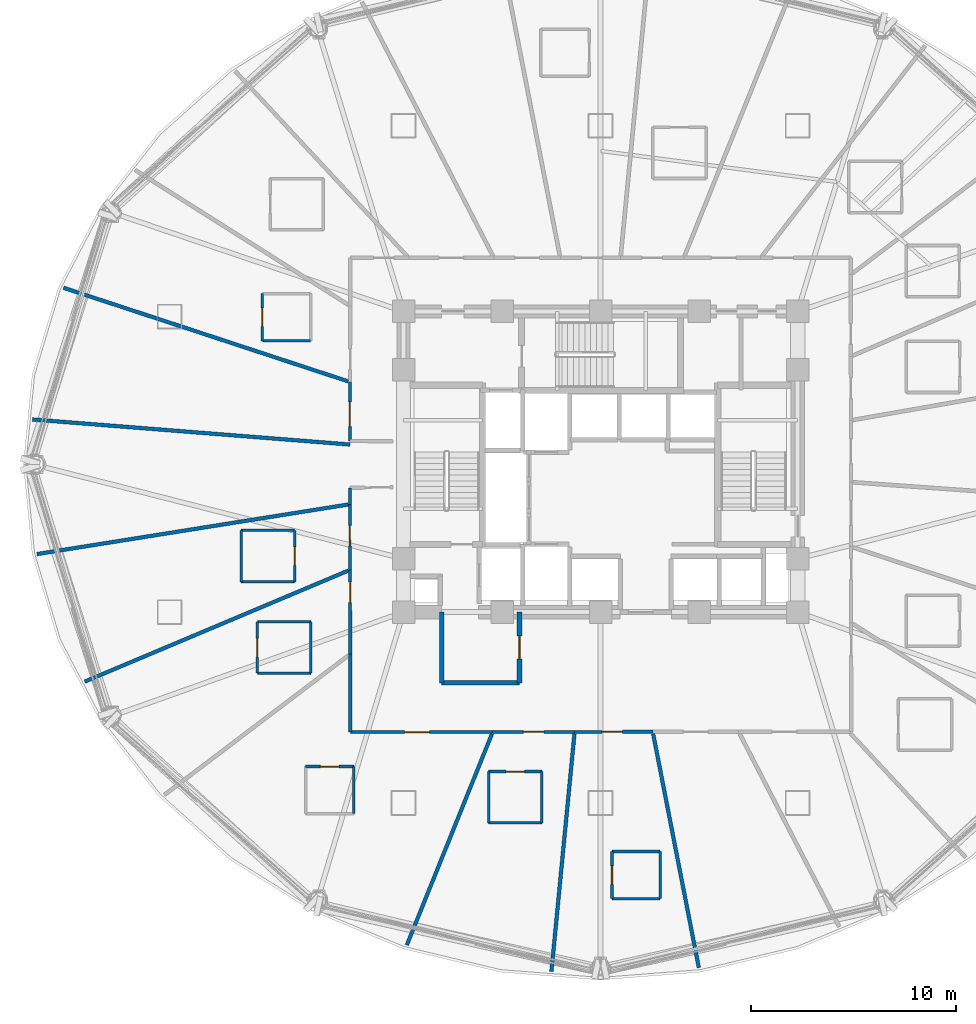
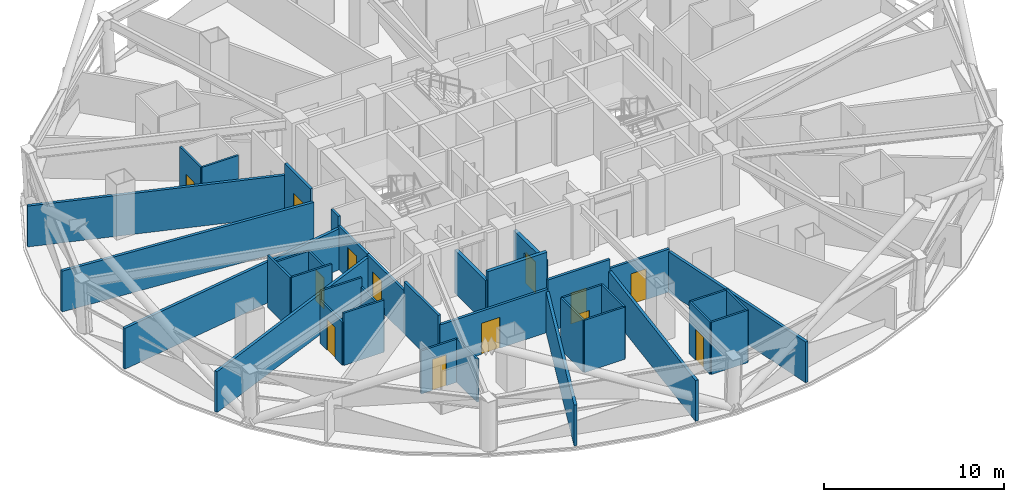
# One storey, part 7 of 16: 38 walls, 13 doors, 13 openings.
"""IFC4 building model written with IfcOpenShell, lengths in metres."""

from ifc_helpers import new_model, si_unit, direction, frame, frame_2d, origin, place, context, subcontext, project, spatial, rectangle, extrude, material, layer, layer_set, type_object, element, fill, save


model = new_model("IFC4")

# Units and contexts
model_context = context("Model", 3, precision=1e-05, world=origin(), true_north=direction((0.0, 1.0)))
body_context = subcontext(model_context, "Body", "Model", "MODEL_VIEW")
ifc_project = project(units=[si_unit("LENGTHUNIT", "METRE"), si_unit("AREAUNIT", "SQUARE_METRE"), si_unit("VOLUMEUNIT", "CUBIC_METRE"), si_unit("PLANEANGLEUNIT", "RADIAN"), si_unit("MASSUNIT", "GRAM", prefix="KILO")], contexts=[model_context])

# Site, building, storey
site_placement = place(None, origin())
site = spatial("IfcSite", under=ifc_project, at=site_placement, CompositionType="ELEMENT")
building_placement = place(site_placement, origin())
building = spatial("IfcBuilding", under=site, at=building_placement, Name="Vantalir Tower", CompositionType="ELEMENT")
storey_placement = place(building_placement, frame((0.0, 0.0, 64.5)))
storey = spatial("IfcBuildingStorey", under=building, at=storey_placement, Name="L15", CompositionType="ELEMENT", Elevation=64.5)

# Wall
ifc_material_1 = material(Name="Moisture-resistant en-suite partition", Category="gypsum")
ifc_layer_1 = layer(ifc_material_1, 0.125)
ifc_layer_set_1 = layer_set([ifc_layer_1], Name="Moisture-resistant en-suite partition")
wall_type_1 = type_object("IfcWallType", Name="WL-BATH-125", PredefinedType="PARTITIONING", material=ifc_layer_set_1)
wall_1_placement = place(storey_placement, frame((15.01904296875, 31.02197265625, 0.0), z_axis=(0.0, 0.0, 1.0), x_axis=(1.0, 0.0, 0.0)))
element("IfcWall", 1, at=wall_1_placement, inside=storey, type_object=wall_type_1, Name="L15 En-suite 10 South Wall", PredefinedType="PARTITIONING", context=body_context, shape_type="SweptSolid", body=[
    extrude(rectangle(XDim=2.349853515625, YDim=0.125, at=frame_2d((1.1748046875, 0.0))), origin(), (0.0, 0.0, 1.0), 3.550048828125),
])

# Wall, opening, door
wall_2_placement = place(storey_placement, frame((15.01904296875, 31.02197265625, 0.0), z_axis=(0.0, 0.0, 1.0), x_axis=(0.0, 1.0, 0.0)))
wall_2 = element("IfcWall", 2, at=wall_2_placement, inside=storey, type_object=wall_type_1, Name="L15 En-suite 10 West Wall", PredefinedType="PARTITIONING", context=body_context, shape_type="SweptSolid", body=[
    extrude(rectangle(XDim=2.300048828125, YDim=0.125, at=frame_2d((1.14990234375, 0.0))), origin(), (0.0, 0.0, 1.0), 3.550048828125),
])
opening_1_placement = place(wall_2_placement, frame((0.699951171875, 0.0, 0.0)))
opening_1 = element("IfcOpeningElement", 3, at=opening_1_placement, cuts=wall_2, Name="Opening D-WC", PredefinedType="OPENING", context=body_context, shape_type="SweptSolid", body=[
    extrude(rectangle(XDim=0.89990234375, YDim=2.10009765625, at=frame_2d((0.449951171875, 1.050048828125))), frame((0.0, 0.072509765625, 0.0), z_axis=(0.0, -1.0, 0.0), x_axis=(1.0, 0.0, 0.0)), (0.0, 0.0, 1.0), 0.14501953125),
])
ifc_material_2 = material(Name="Moisture-resistant hardwood door", Category="wood")
door_type_1 = type_object("IfcDoorType", Name="DR-ENSUITE-900", OperationType="NOTDEFINED", PredefinedType="DOOR", material=ifc_material_2)
door_1_placement = place(opening_1_placement, frame((0.89990234375, 0.0, 0.0), z_axis=(0.0, 0.0, 1.0), x_axis=(-1.0, 0.0, 0.0)))
door_1 = element("IfcDoor", 4, at=door_1_placement, inside=storey, type_object=door_type_1, Name="L15 En-suite 10 Door", OperationType="SINGLE_SWING_RIGHT", OverallHeight=2.10009765625, OverallWidth=0.89990234375, PredefinedType="DOOR", context=body_context, shape_type="SweptSolid", body=[
    extrude(rectangle(XDim=0.89990234375, YDim=2.10009765625, at=frame_2d((0.449951171875, 1.050048828125))), frame((0.0, 0.02490234375, 0.0), z_axis=(0.0, -1.0, 0.0), x_axis=(1.0, 0.0, 0.0)), (0.0, 0.0, 1.0), 0.050048828125),
])
fill(opening_1, door_1)

# Walls
wall_3_placement = place(storey_placement, frame((13.989013671875, 19.278076171875, 0.0), z_axis=(0.0, 0.0, 1.0), x_axis=(1.0, 0.0, 0.0)))
element("IfcWall", 5, at=wall_3_placement, inside=storey, type_object=wall_type_1, Name="L15 En-suite 13 South Wall", PredefinedType="PARTITIONING", context=body_context, shape_type="SweptSolid", body=[
    extrude(rectangle(XDim=2.60009765625, YDim=0.125, at=frame_2d((1.300048828125, 0.0))), origin(), (0.0, 0.0, 1.0), 3.550048828125),
])
wall_4_placement = place(storey_placement, frame((13.989013671875, 21.778076171875, 0.0), z_axis=(0.0, 0.0, 1.0), x_axis=(1.0, 0.0, 0.0)))
element("IfcWall", 6, at=wall_4_placement, inside=storey, type_object=wall_type_1, Name="L15 En-suite 13 North Wall", PredefinedType="PARTITIONING", context=body_context, shape_type="SweptSolid", body=[
    extrude(rectangle(XDim=2.60009765625, YDim=0.125, at=frame_2d((1.300048828125, 0.0))), origin(), (0.0, 0.0, 1.0), 2.927978515625),
])
wall_5_placement = place(storey_placement, frame((13.989013671875, 19.278076171875, 0.0), z_axis=(0.0, 0.0, 1.0), x_axis=(0.0, 1.0, 0.0)))
element("IfcWall", 7, at=wall_5_placement, inside=storey, type_object=wall_type_1, Name="L15 En-suite 13 West Wall", PredefinedType="PARTITIONING", context=body_context, shape_type="SweptSolid", body=[
    extrude(rectangle(XDim=2.5, YDim=0.125, at=frame_2d((1.25, 0.0))), origin(), (0.0, 0.0, 1.0), 3.550048828125),
])

# Wall, opening, door
wall_6_placement = place(storey_placement, frame((16.589111328125, 19.278076171875, 0.0), z_axis=(0.0, 0.0, 1.0), x_axis=(0.0, 1.0, 0.0)))
wall_6 = element("IfcWall", 8, at=wall_6_placement, inside=storey, type_object=wall_type_1, Name="L15 En-suite 13 East Wall", PredefinedType="PARTITIONING", context=body_context, shape_type="SweptSolid", body=[
    extrude(rectangle(XDim=2.5, YDim=0.125, at=frame_2d((1.25, 0.0))), origin(), (0.0, 0.0, 1.0), 2.927978515625),
])
opening_2_placement = place(wall_6_placement, frame((0.800048828125, 0.0, 0.0)))
opening_2 = element("IfcOpeningElement", 9, at=opening_2_placement, cuts=wall_6, Name="Opening D-WC", PredefinedType="OPENING", context=body_context, shape_type="SweptSolid", body=[
    extrude(rectangle(XDim=0.89990234375, YDim=2.10009765625, at=frame_2d((0.449951171875, 1.050048828125))), frame((0.0, 0.072509765625, 0.0), z_axis=(0.0, -1.0, 0.0), x_axis=(1.0, 0.0, 0.0)), (0.0, 0.0, 1.0), 0.14501953125),
])
door_2_placement = place(opening_2_placement, origin())
door_2 = element("IfcDoor", 10, at=door_2_placement, inside=storey, type_object=door_type_1, Name="L15 En-suite 13 Door", OperationType="SINGLE_SWING_LEFT", OverallHeight=2.10009765625, OverallWidth=0.89990234375, PredefinedType="DOOR", context=body_context, shape_type="SweptSolid", body=[
    extrude(rectangle(XDim=0.89990234375, YDim=2.10009765625, at=frame_2d((0.449951171875, 1.050048828125))), frame((0.0, 0.02490234375, 0.0), z_axis=(0.0, -1.0, 0.0), x_axis=(1.0, 0.0, 0.0)), (0.0, 0.0, 1.0), 0.050048828125),
])
fill(opening_2, door_2)

# Walls
for number, where, z_axis, x_axis, name in (
    (11, (14.780029296875, 14.823974609375, 0.0), (0.0, 0.0, 1.0), (1.0, 0.0, 0.0), "L15 En-suite 14 South Wall"),
    (12, (14.780029296875, 17.323974609375, 0.0), (0.0, 0.0, 1.0), (1.0, 0.0, 0.0), "L15 En-suite 14 North Wall"),
):
    element("IfcWall", number, at=place(storey_placement, frame(where, z_axis=z_axis, x_axis=x_axis)), inside=storey, type_object=wall_type_1, Name=name, PredefinedType="PARTITIONING", context=body_context, shape_type="SweptSolid", body=[
        extrude(rectangle(XDim=2.599853515625, YDim=0.125, at=frame_2d((1.2998046875, 0.0))), origin(), (0.0, 0.0, 1.0), 3.550048828125),
    ])

# Wall, opening, door
wall_7_placement = place(storey_placement, frame((14.780029296875, 14.823974609375, 0.0), z_axis=(0.0, 0.0, 1.0), x_axis=(0.0, 1.0, 0.0)))
wall_7 = element("IfcWall", 13, at=wall_7_placement, inside=storey, type_object=wall_type_1, Name="L15 En-suite 14 West Wall", PredefinedType="PARTITIONING", context=body_context, shape_type="SweptSolid", body=[
    extrude(rectangle(XDim=2.5, YDim=0.125, at=frame_2d((1.25, 0.0))), origin(), (0.0, 0.0, 1.0), 2.927978515625),
])
opening_3_placement = place(wall_7_placement, frame((0.800048828125, 0.0, 0.0)))
opening_3 = element("IfcOpeningElement", 14, at=opening_3_placement, cuts=wall_7, Name="Opening D-WC", PredefinedType="OPENING", context=body_context, shape_type="SweptSolid", body=[
    extrude(rectangle(XDim=0.89990234375, YDim=2.10009765625, at=frame_2d((0.449951171875, 1.050048828125))), frame((0.0, 0.072509765625, 0.0), z_axis=(0.0, -1.0, 0.0), x_axis=(1.0, 0.0, 0.0)), (0.0, 0.0, 1.0), 0.14501953125),
])
door_3_placement = place(opening_3_placement, frame((0.89990234375, 0.0, 0.0), z_axis=(0.0, 0.0, 1.0), x_axis=(-1.0, 0.0, 0.0)))
door_3 = element("IfcDoor", 15, at=door_3_placement, inside=storey, type_object=door_type_1, Name="L15 En-suite 14 Door", OperationType="SINGLE_SWING_RIGHT", OverallHeight=2.10009765625, OverallWidth=0.89990234375, PredefinedType="DOOR", context=body_context, shape_type="SweptSolid", body=[
    extrude(rectangle(XDim=0.89990234375, YDim=2.10009765625, at=frame_2d((0.449951171875, 1.050048828125))), frame((0.0, 0.02490234375, 0.0), z_axis=(0.0, -1.0, 0.0), x_axis=(1.0, 0.0, 0.0)), (0.0, 0.0, 1.0), 0.050048828125),
])
fill(opening_3, door_3)

# Wall
wall_8_placement = place(storey_placement, frame((17.3798828125, 14.823974609375, 0.0), z_axis=(0.0, 0.0, 1.0), x_axis=(0.0, 1.0, 0.0)))
element("IfcWall", 16, at=wall_8_placement, inside=storey, type_object=wall_type_1, Name="L15 En-suite 14 East Wall", PredefinedType="PARTITIONING", context=body_context, shape_type="SweptSolid", body=[
    extrude(rectangle(XDim=2.5, YDim=0.125, at=frame_2d((1.25, 0.0))), origin(), (0.0, 0.0, 1.0), 2.927978515625),
])

# Wall, opening, door
wall_9_placement = place(storey_placement, frame((17.125, 10.27587890625, 0.0), z_axis=(0.0, 0.0, 1.0), x_axis=(1.0, 0.0, 0.0)))
wall_9 = element("IfcWall", 17, at=wall_9_placement, inside=storey, type_object=wall_type_1, Name="L15 En-suite 15 North Wall", PredefinedType="PARTITIONING", context=body_context, shape_type="SweptSolid", body=[
    extrude(rectangle(XDim=2.35009765625, YDim=0.125, at=frame_2d((1.175048828125, 0.0))), origin(), (0.0, 0.0, 1.0), 2.927978515625),
])
opening_4_placement = place(wall_9_placement, frame((0.72509765625, 0.0, 0.0)))
opening_4 = element("IfcOpeningElement", 18, at=opening_4_placement, cuts=wall_9, Name="Opening D-WC", PredefinedType="OPENING", context=body_context, shape_type="SweptSolid", body=[
    extrude(rectangle(XDim=0.89990234375, YDim=2.10009765625, at=frame_2d((0.449951171875, 1.050048828125))), frame((0.0, 0.072509765625, 0.0), z_axis=(0.0, -1.0, 0.0), x_axis=(1.0, 0.0, 0.0)), (0.0, 0.0, 1.0), 0.14501953125),
])
door_4_placement = place(opening_4_placement, frame((0.89990234375, 0.0, 0.0), z_axis=(0.0, 0.0, 1.0), x_axis=(-1.0, 0.0, 0.0)))
door_4 = element("IfcDoor", 19, at=door_4_placement, inside=storey, type_object=door_type_1, Name="L15 En-suite 15 Door", OperationType="SINGLE_SWING_LEFT", OverallHeight=2.10009765625, OverallWidth=0.89990234375, PredefinedType="DOOR", context=body_context, shape_type="SweptSolid", body=[
    extrude(rectangle(XDim=0.89990234375, YDim=2.10009765625, at=frame_2d((0.449951171875, 1.050048828125))), frame((0.0, 0.02490234375, 0.0), z_axis=(0.0, -1.0, 0.0), x_axis=(1.0, 0.0, 0.0)), (0.0, 0.0, 1.0), 0.050048828125),
])
fill(opening_4, door_4)

# Walls
wall_10_placement = place(storey_placement, frame((19.47509765625, 7.97607421875, 0.0), z_axis=(0.0, 0.0, 1.0), x_axis=(0.0, 1.0, 0.0)))
element("IfcWall", 20, at=wall_10_placement, inside=storey, type_object=wall_type_1, Name="L15 En-suite 15 East Wall", PredefinedType="PARTITIONING", context=body_context, shape_type="SweptSolid", body=[
    extrude(rectangle(XDim=2.2998046875, YDim=0.125, at=frame_2d((1.14990234375, 0.0))), origin(), (0.0, 0.0, 1.0), 2.927978515625),
])
wall_11_placement = place(storey_placement, frame((26.0439453125, 7.531982421875, 0.0), z_axis=(0.0, 0.0, 1.0), x_axis=(1.0, 0.0, 0.0)))
element("IfcWall", 21, at=wall_11_placement, inside=storey, type_object=wall_type_1, Name="L15 En-suite 16 South Wall", PredefinedType="PARTITIONING", context=body_context, shape_type="SweptSolid", body=[
    extrude(rectangle(XDim=2.60009765625, YDim=0.125, at=frame_2d((1.300048828125, 0.0))), origin(), (0.0, 0.0, 1.0), 3.550048828125),
])

# Wall, opening, door
wall_12_placement = place(storey_placement, frame((26.0439453125, 10.031982421875, 0.0), z_axis=(0.0, 0.0, 1.0), x_axis=(1.0, 0.0, 0.0)))
wall_12 = element("IfcWall", 22, at=wall_12_placement, inside=storey, type_object=wall_type_1, Name="L15 En-suite 16 North Wall", PredefinedType="PARTITIONING", context=body_context, shape_type="SweptSolid", body=[
    extrude(rectangle(XDim=2.60009765625, YDim=0.125, at=frame_2d((1.300048828125, 0.0))), origin(), (0.0, 0.0, 1.0), 3.550048828125),
])
opening_5_placement = place(wall_12_placement, frame((0.85009765625, 0.0, 0.0)))
opening_5 = element("IfcOpeningElement", 23, at=opening_5_placement, cuts=wall_12, Name="Opening D-WC", PredefinedType="OPENING", context=body_context, shape_type="SweptSolid", body=[
    extrude(rectangle(XDim=0.89990234375, YDim=2.10009765625, at=frame_2d((0.449951171875, 1.050048828125))), frame((0.0, 0.072509765625, 0.0), z_axis=(0.0, -1.0, 0.0), x_axis=(1.0, 0.0, 0.0)), (0.0, 0.0, 1.0), 0.14501953125),
])
door_5_placement = place(opening_5_placement, frame((0.89990234375, 0.0, 0.0), z_axis=(0.0, 0.0, 1.0), x_axis=(-1.0, 0.0, 0.0)))
door_5 = element("IfcDoor", 24, at=door_5_placement, inside=storey, type_object=door_type_1, Name="L15 En-suite 16 Door", OperationType="SINGLE_SWING_RIGHT", OverallHeight=2.10009765625, OverallWidth=0.89990234375, PredefinedType="DOOR", context=body_context, shape_type="SweptSolid", body=[
    extrude(rectangle(XDim=0.89990234375, YDim=2.10009765625, at=frame_2d((0.449951171875, 1.050048828125))), frame((0.0, 0.02490234375, 0.0), z_axis=(0.0, -1.0, 0.0), x_axis=(1.0, 0.0, 0.0)), (0.0, 0.0, 1.0), 0.050048828125),
])
fill(opening_5, door_5)

# Walls
for number, where, z_axis, x_axis, name in (
    (25, (26.0439453125, 7.531982421875, 0.0), (0.0, 0.0, 1.0), (0.0, 1.0, 0.0), "L15 En-suite 16 West Wall"),
    (26, (28.64404296875, 7.531982421875, 0.0), (0.0, 0.0, 1.0), (0.0, 1.0, 0.0), "L15 En-suite 16 East Wall"),
):
    element("IfcWall", number, at=place(storey_placement, frame(where, z_axis=z_axis, x_axis=x_axis)), inside=storey, type_object=wall_type_1, Name=name, PredefinedType="PARTITIONING", context=body_context, shape_type="SweptSolid", body=[
        extrude(rectangle(XDim=2.5, YDim=0.125, at=frame_2d((1.25, 0.0))), origin(), (0.0, 0.0, 1.0), 3.550048828125),
    ])
for number, where, z_axis, x_axis, name in (
    (27, (32.056884765625, 3.8349609375, 0.0), (0.0, 0.0, 1.0), (1.0, 0.0, 0.0), "L15 En-suite 17 South Wall"),
    (28, (32.056884765625, 6.135009765625, 0.0), (0.0, 0.0, 1.0), (1.0, 0.0, 0.0), "L15 En-suite 17 North Wall"),
):
    element("IfcWall", number, at=place(storey_placement, frame(where, z_axis=z_axis, x_axis=x_axis)), inside=storey, type_object=wall_type_1, Name=name, PredefinedType="PARTITIONING", context=body_context, shape_type="SweptSolid", body=[
        extrude(rectangle(XDim=2.35009765625, YDim=0.125, at=frame_2d((1.175048828125, 0.0))), origin(), (0.0, 0.0, 1.0), 3.550048828125),
    ])

# Wall, opening, door
wall_13_placement = place(storey_placement, frame((32.056884765625, 3.8349609375, 0.0), z_axis=(0.0, 0.0, 1.0), x_axis=(0.0, 1.0, 0.0)))
wall_13 = element("IfcWall", 29, at=wall_13_placement, inside=storey, type_object=wall_type_1, Name="L15 En-suite 17 West Wall", PredefinedType="PARTITIONING", context=body_context, shape_type="SweptSolid", body=[
    extrude(rectangle(XDim=2.300048828125, YDim=0.125, at=frame_2d((1.14990234375, 0.0))), origin(), (0.0, 0.0, 1.0), 3.550048828125),
])
opening_6_placement = place(wall_13_placement, frame((0.699951171875, 0.0, 0.0)))
opening_6 = element("IfcOpeningElement", 30, at=opening_6_placement, cuts=wall_13, Name="Opening D-WC", PredefinedType="OPENING", context=body_context, shape_type="SweptSolid", body=[
    extrude(rectangle(XDim=0.89990234375, YDim=2.10009765625, at=frame_2d((0.449951171875, 1.050048828125))), frame((0.0, 0.072509765625, 0.0), z_axis=(0.0, -1.0, 0.0), x_axis=(1.0, 0.0, 0.0)), (0.0, 0.0, 1.0), 0.14501953125),
])
door_6_placement = place(opening_6_placement, frame((0.89990234375, 0.0, 0.0), z_axis=(0.0, 0.0, 1.0), x_axis=(-1.0, 0.0, 0.0)))
door_6 = element("IfcDoor", 31, at=door_6_placement, inside=storey, type_object=door_type_1, Name="L15 En-suite 17 Door", OperationType="SINGLE_SWING_LEFT", OverallHeight=2.10009765625, OverallWidth=0.89990234375, PredefinedType="DOOR", context=body_context, shape_type="SweptSolid", body=[
    extrude(rectangle(XDim=0.89990234375, YDim=2.10009765625, at=frame_2d((0.449951171875, 1.050048828125))), frame((0.0, 0.02490234375, 0.0), z_axis=(0.0, -1.0, 0.0), x_axis=(1.0, 0.0, 0.0)), (0.0, 0.0, 1.0), 0.050048828125),
])
fill(opening_6, door_6)

# Wall
wall_14_placement = place(storey_placement, frame((34.406982421875, 3.8349609375, 0.0), z_axis=(0.0, 0.0, 1.0), x_axis=(0.0, 1.0, 0.0)))
element("IfcWall", 32, at=wall_14_placement, inside=storey, type_object=wall_type_1, Name="L15 En-suite 17 East Wall", PredefinedType="PARTITIONING", context=body_context, shape_type="SweptSolid", body=[
    extrude(rectangle(XDim=2.300048828125, YDim=0.125, at=frame_2d((1.14990234375, 0.0))), origin(), (0.0, 0.0, 1.0), 3.550048828125),
])

# Wall, opening, door
ifc_material_3 = material(Name="Fire-rated hotel corridor acoustic partition", Category="gypsum")
ifc_layer_2 = layer(ifc_material_3, 0.159912109375)
ifc_layer_set_2 = layer_set([ifc_layer_2], Name="Fire-rated hotel corridor acoustic partition")
wall_type_2 = type_object("IfcWallType", Name="WL-CORR-160", PredefinedType="PARTITIONING", material=ifc_layer_set_2)
wall_15_placement = place(storey_placement, frame((19.285888671875, 26.14208984375, 0.0), z_axis=(0.0, 0.0, 1.0), x_axis=(0.00212602632, 0.999997740003, 0.0)))
wall_15 = element("IfcWall", 33, at=wall_15_placement, inside=storey, type_object=wall_type_2, Name="L15 Corridor Partition 02", PredefinedType="PARTITIONING", context=body_context, shape_type="SweptSolid", body=[
    extrude(rectangle(XDim=2.870849609375, YDim=0.159912109375, at=frame_2d((1.435546875, 0.0))), origin(), (0.0, 0.0, 1.0), 3.550048828125),
])
opening_7_placement = place(wall_15_placement, frame((0.699951171875, 0.0, 0.0)))
opening_7 = element("IfcOpeningElement", 34, at=opening_7_placement, cuts=wall_15, Name="Opening D-STE", PredefinedType="OPENING", context=body_context, shape_type="SweptSolid", body=[
    extrude(rectangle(XDim=1.199951171875, YDim=2.10009765625, at=frame_2d((0.60009765625, 1.050048828125))), frame((0.0, 0.08984375, 0.0), z_axis=(0.0, -1.0, 0.0), x_axis=(1.0, 0.0, 0.0)), (0.0, 0.0, 1.0), 0.179931640625),
])
ifc_material_4 = material(Name="Solid-core teak veneer suite entrance door", Category="wood")
door_type_2 = type_object("IfcDoorType", Name="DR-SUITE-ENTRY-1200", OperationType="NOTDEFINED", PredefinedType="DOOR", material=ifc_material_4)
door_7_placement = place(opening_7_placement, origin())
door_7 = element("IfcDoor", 35, at=door_7_placement, inside=storey, type_object=door_type_2, Name="L15 Club Reading Lounge 11 Door", OperationType="SINGLE_SWING_LEFT", OverallHeight=2.10009765625, OverallWidth=1.199951171875, PredefinedType="DOOR", context=body_context, shape_type="SweptSolid", body=[
    extrude(rectangle(XDim=1.199951171875, YDim=2.10009765625, at=frame_2d((0.60009765625, 1.050048828125))), frame((0.0, 0.02490234375, 0.0), z_axis=(0.0, -1.0, 0.0), x_axis=(1.0, 0.0, 0.0)), (0.0, 0.0, 1.0), 0.050048828125),
])
fill(opening_7, door_7)

wall_16_placement = place(storey_placement, frame((34.044921875, 11.965087890625, 0.0), z_axis=(0.0, 0.0, 1.0), x_axis=(-0.999999652644, -0.000833493331, 0.0)))
wall_16 = element("IfcWall", 36, at=wall_16_placement, inside=storey, type_object=wall_type_2, Name="L15 Corridor Partition 21", PredefinedType="PARTITIONING", context=body_context, shape_type="SweptSolid", body=[
    extrude(rectangle(XDim=3.807861328125, YDim=0.159912109375, at=frame_2d((1.90380859375, 0.0))), origin(), (0.0, 0.0, 1.0), 2.927978515625),
])
opening_8_placement = place(wall_16_placement, frame((1.47705078125, 0.0, 0.0)))
opening_8 = element("IfcOpeningElement", 37, at=opening_8_placement, cuts=wall_16, Name="Opening D-GUEST", PredefinedType="OPENING", context=body_context, shape_type="SweptSolid", body=[
    extrude(rectangle(XDim=1.0, YDim=2.10009765625, at=frame_2d((0.5, 1.050048828125))), frame((0.0, 0.08984375, 0.0), z_axis=(0.0, -1.0, 0.0), x_axis=(1.0, 0.0, 0.0)), (0.0, 0.0, 1.0), 0.179931640625),
])
ifc_material_5 = material(Name="Solid-core teak veneer acoustic fire door", Category="wood")
door_type_3 = type_object("IfcDoorType", Name="DR-GUEST-ENTRY-1000", OperationType="NOTDEFINED", PredefinedType="DOOR", material=ifc_material_5)
door_8_placement = place(opening_8_placement, origin())
door_8 = element("IfcDoor", 38, at=door_8_placement, inside=storey, type_object=door_type_3, Name="L15 Deluxe King Hotel Room 17 Door", OperationType="SINGLE_SWING_LEFT", OverallHeight=2.10009765625, OverallWidth=1.0, PredefinedType="DOOR", context=body_context, shape_type="SweptSolid", body=[
    extrude(rectangle(XDim=1.0, YDim=2.10009765625, at=frame_2d((0.5, 1.050048828125))), frame((0.0, 0.02490234375, 0.0), z_axis=(0.0, -1.0, 0.0), x_axis=(1.0, 0.0, 0.0)), (0.0, 0.0, 1.0), 0.050048828125),
])
fill(opening_8, door_8)

wall_17_placement = place(storey_placement, frame((30.237060546875, 11.9619140625, 0.0), z_axis=(0.0, 0.0, 1.0), x_axis=(-0.999999730695, -0.00073389987, 0.0)))
wall_17 = element("IfcWall", 39, at=wall_17_placement, inside=storey, type_object=wall_type_2, Name="L15 Corridor Partition 22", PredefinedType="PARTITIONING", context=body_context, shape_type="SweptSolid", body=[
    extrude(rectangle(XDim=3.991943359375, YDim=0.159912109375, at=frame_2d((1.99609375, 0.0))), origin(), (0.0, 0.0, 1.0), 3.550048828125),
])
opening_9_placement = place(wall_17_placement, frame((1.49609375, 0.0, 0.0)))
opening_9 = element("IfcOpeningElement", 40, at=opening_9_placement, cuts=wall_17, Name="Opening D-GUEST", PredefinedType="OPENING", context=body_context, shape_type="SweptSolid", body=[
    extrude(rectangle(XDim=1.0, YDim=2.10009765625, at=frame_2d((0.5, 1.050048828125))), frame((0.0, 0.08984375, 0.0), z_axis=(0.0, -1.0, 0.0), x_axis=(1.0, 0.0, 0.0)), (0.0, 0.0, 1.0), 0.179931640625),
])
door_9_placement = place(opening_9_placement, origin())
door_9 = element("IfcDoor", 41, at=door_9_placement, inside=storey, type_object=door_type_3, Name="L15 Twin Queen Hotel Room 16 Door", OperationType="SINGLE_SWING_RIGHT", OverallHeight=2.10009765625, OverallWidth=1.0, PredefinedType="DOOR", context=body_context, shape_type="SweptSolid", body=[
    extrude(rectangle(XDim=1.0, YDim=2.10009765625, at=frame_2d((0.5, 1.050048828125))), frame((0.0, 0.02490234375, 0.0), z_axis=(0.0, -1.0, 0.0), x_axis=(1.0, 0.0, 0.0)), (0.0, 0.0, 1.0), 0.050048828125),
])
fill(opening_9, door_9)

wall_18_placement = place(storey_placement, frame((26.2451171875, 11.958984375, 0.0), z_axis=(0.0, 0.0, 1.0), x_axis=(-0.999999841558, -0.000562924303, 0.0)))
wall_18 = element("IfcWall", 42, at=wall_18_placement, inside=storey, type_object=wall_type_2, Name="L15 Corridor Partition 23", PredefinedType="PARTITIONING", context=body_context, shape_type="SweptSolid", body=[
    extrude(rectangle(XDim=6.939208984375, YDim=0.159912109375, at=frame_2d((3.4697265625, 0.0))), origin(), (0.0, 0.0, 1.0), 2.927978515625),
])
opening_10_placement = place(wall_18_placement, frame((3.089111328125, 0.0, 0.0)))
opening_10 = element("IfcOpeningElement", 43, at=opening_10_placement, cuts=wall_18, Name="Opening D-STE", PredefinedType="OPENING", context=body_context, shape_type="SweptSolid", body=[
    extrude(rectangle(XDim=1.199951171875, YDim=2.10009765625, at=frame_2d((0.60009765625, 1.050048828125))), frame((0.0, 0.08984375, 0.0), z_axis=(0.0, -1.0, 0.0), x_axis=(1.0, 0.0, 0.0)), (0.0, 0.0, 1.0), 0.179931640625),
])
door_10_placement = place(opening_10_placement, origin())
door_10 = element("IfcDoor", 44, at=door_10_placement, inside=storey, type_object=door_type_2, Name="L15 Executive Club Hotel Suite 15 Door", OperationType="SINGLE_SWING_LEFT", OverallHeight=2.10009765625, OverallWidth=1.199951171875, PredefinedType="DOOR", context=body_context, shape_type="SweptSolid", body=[
    extrude(rectangle(XDim=1.199951171875, YDim=2.10009765625, at=frame_2d((0.60009765625, 1.050048828125))), frame((0.0, 0.02490234375, 0.0), z_axis=(0.0, -1.0, 0.0), x_axis=(1.0, 0.0, 0.0)), (0.0, 0.0, 1.0), 0.050048828125),
])
fill(opening_10, door_10)

# Wall
wall_19_placement = place(storey_placement, frame((19.305908203125, 11.955078125, 0.0), z_axis=(0.0, 0.0, 1.0), x_axis=(-0.001542811226, 0.999998809866, 0.0)))
element("IfcWall", 45, at=wall_19_placement, inside=storey, type_object=wall_type_2, Name="L15 Corridor Partition 24", PredefinedType="PARTITIONING", context=body_context, shape_type="SweptSolid", body=[
    extrude(rectangle(XDim=3.7978515625, YDim=0.159912109375, at=frame_2d((1.89892578125, 0.0))), origin(), (0.0, 0.0, 1.0), 3.550048828125),
])

# Wall, opening, door
wall_20_placement = place(storey_placement, frame((19.300048828125, 15.7529296875, 0.0), z_axis=(0.0, 0.0, 1.0), x_axis=(-0.001724750617, 0.999998512617, 0.0)))
wall_20 = element("IfcWall", 46, at=wall_20_placement, inside=storey, type_object=wall_type_2, Name="L15 Corridor Partition 25", PredefinedType="PARTITIONING", context=body_context, shape_type="SweptSolid", body=[
    extrude(rectangle(XDim=4.10498046875, YDim=0.159912109375, at=frame_2d((2.052490234375, 0.0))), origin(), (0.0, 0.0, 1.0), 2.927978515625),
])
opening_11_placement = place(wall_20_placement, frame((2.5048828125, 0.0, 0.0)))
opening_11 = element("IfcOpeningElement", 47, at=opening_11_placement, cuts=wall_20, Name="Opening D-GUEST", PredefinedType="OPENING", context=body_context, shape_type="SweptSolid", body=[
    extrude(rectangle(XDim=1.0, YDim=2.10009765625, at=frame_2d((0.5, 1.050048828125))), frame((0.0, 0.08984375, 0.0), z_axis=(0.0, -1.0, 0.0), x_axis=(1.0, 0.0, 0.0)), (0.0, 0.0, 1.0), 0.179931640625),
])
door_11_placement = place(opening_11_placement, origin())
door_11 = element("IfcDoor", 48, at=door_11_placement, inside=storey, type_object=door_type_3, Name="L15 Deluxe King Hotel Room 14 Door", OperationType="SINGLE_SWING_RIGHT", OverallHeight=2.10009765625, OverallWidth=1.0, PredefinedType="DOOR", context=body_context, shape_type="SweptSolid", body=[
    extrude(rectangle(XDim=1.0, YDim=2.10009765625, at=frame_2d((0.5, 1.050048828125))), frame((0.0, 0.02490234375, 0.0), z_axis=(0.0, -1.0, 0.0), x_axis=(1.0, 0.0, 0.0)), (0.0, 0.0, 1.0), 0.050048828125),
])
fill(opening_11, door_11)

wall_21_placement = place(storey_placement, frame((19.29296875, 19.85791015625, 0.0), z_axis=(0.0, 0.0, 1.0), x_axis=(-0.001832757518, 0.999998320499, 0.0)))
wall_21 = element("IfcWall", 49, at=wall_21_placement, inside=storey, type_object=wall_type_2, Name="L15 Corridor Partition 26", PredefinedType="PARTITIONING", context=body_context, shape_type="SweptSolid", body=[
    extrude(rectangle(XDim=3.197021484375, YDim=0.159912109375, at=frame_2d((1.5986328125, 0.0))), origin(), (0.0, 0.0, 1.0), 2.927978515625),
])
opening_12_placement = place(wall_21_placement, frame((1.1708984375, 0.0, 0.0)))
opening_12 = element("IfcOpeningElement", 50, at=opening_12_placement, cuts=wall_21, Name="Opening D-GUEST", PredefinedType="OPENING", context=body_context, shape_type="SweptSolid", body=[
    extrude(rectangle(XDim=1.0, YDim=2.10009765625, at=frame_2d((0.5, 1.050048828125))), frame((0.0, 0.08984375, 0.0), z_axis=(0.0, -1.0, 0.0), x_axis=(1.0, 0.0, 0.0)), (0.0, 0.0, 1.0), 0.179931640625),
])
door_12_placement = place(opening_12_placement, origin())
door_12 = element("IfcDoor", 51, at=door_12_placement, inside=storey, type_object=door_type_3, Name="L15 Twin Queen Hotel Room 13 Door", OperationType="SINGLE_SWING_LEFT", OverallHeight=2.10009765625, OverallWidth=1.0, PredefinedType="DOOR", context=body_context, shape_type="SweptSolid", body=[
    extrude(rectangle(XDim=1.0, YDim=2.10009765625, at=frame_2d((0.5, 1.050048828125))), frame((0.0, 0.02490234375, 0.0), z_axis=(0.0, -1.0, 0.0), x_axis=(1.0, 0.0, 0.0)), (0.0, 0.0, 1.0), 0.050048828125),
])
fill(opening_12, door_12)

# Walls
wall_22_placement = place(storey_placement, frame((19.287109375, 23.054931640625, 0.0), z_axis=(0.0, 0.0, 1.0), x_axis=(-0.001520217155, 0.999998844469, 0.0)))
element("IfcWall", 52, at=wall_22_placement, inside=storey, type_object=wall_type_2, Name="L15 Corridor Partition 27", PredefinedType="PARTITIONING", context=body_context, shape_type="SweptSolid", body=[
    extrude(rectangle(XDim=0.802978515625, YDim=0.159912109375, at=frame_2d((0.4013671875, 0.0))), origin(), (0.0, 0.0, 1.0), 3.550048828125),
])
ifc_material_6 = material(Name="Concrete blockwork with fireboard lining", Category="masonry")
ifc_layer_3 = layer(ifc_material_6, 0.219970703125)
ifc_layer_set_3 = layer_set([ifc_layer_3], Name="Concrete blockwork with fireboard lining")
wall_type_3 = type_object("IfcWallType", Name="WL-FFL-220", PredefinedType="PARTITIONING", material=ifc_layer_set_3)
wall_23_placement = place(storey_placement, frame((23.75, 14.35009765625, 0.0), z_axis=(0.0, 0.0, 1.0), x_axis=(0.0, 1.0, 0.0)))
element("IfcWall", 53, at=wall_23_placement, inside=storey, type_object=wall_type_3, Name="L15 Firefighting Lobby West Outer W", PredefinedType="PARTITIONING", context=body_context, shape_type="SweptSolid", body=[
    extrude(rectangle(XDim=3.449951171875, YDim=0.219970703125, at=frame_2d((1.72509765625, 0.0))), origin(), (0.0, 0.0, 1.0), 2.927978515625),
])
wall_24_placement = place(storey_placement, frame((23.75, 14.35009765625, 0.0), z_axis=(0.0, 0.0, 1.0), x_axis=(1.0, 0.0, 0.0)))
element("IfcWall", 54, at=wall_24_placement, inside=storey, type_object=wall_type_3, Name="L15 Firefighting Lobby West South Wall", PredefinedType="PARTITIONING", context=body_context, shape_type="SweptSolid", body=[
    extrude(rectangle(XDim=3.800048828125, YDim=0.219970703125, at=frame_2d((1.89990234375, 0.0))), origin(), (0.0, 0.0, 1.0), 3.550048828125),
])

# Wall, opening, door
wall_25_placement = place(storey_placement, frame((27.550048828125, 14.35009765625, 0.0), z_axis=(0.0, 0.0, 1.0), x_axis=(0.0, 1.0, 0.0)))
wall_25 = element("IfcWall", 55, at=wall_25_placement, inside=storey, type_object=wall_type_3, Name="L15 Firefighting Lobby West East Wall", PredefinedType="PARTITIONING", context=body_context, shape_type="SweptSolid", body=[
    extrude(rectangle(XDim=3.449951171875, YDim=0.219970703125, at=frame_2d((1.72509765625, 0.0))), origin(), (0.0, 0.0, 1.0), 2.927978515625),
])
opening_13_placement = place(wall_25_placement, frame((1.175048828125, 0.0, 0.0)))
opening_13 = element("IfcOpeningElement", 56, at=opening_13_placement, cuts=wall_25, Name="Opening D-FFL", PredefinedType="OPENING", context=body_context, shape_type="SweptSolid", body=[
    extrude(rectangle(XDim=1.10009765625, YDim=2.10009765625, at=frame_2d((0.550048828125, 1.050048828125))), frame((0.0, 0.119873046875, 0.0), z_axis=(0.0, -1.0, 0.0), x_axis=(1.0, 0.0, 0.0)), (0.0, 0.0, 1.0), 0.239990234375),
])
ifc_material_7 = material(Name="Fire-rated acoustic steel door", Category="steel")
door_type_4 = type_object("IfcDoorType", Name="DR-FIRE-LOBBY-1100", OperationType="NOTDEFINED", PredefinedType="DOOR", material=ifc_material_7)
door_13_placement = place(opening_13_placement, origin())
door_13 = element("IfcDoor", 57, at=door_13_placement, inside=storey, type_object=door_type_4, Name="L15 Firefighting Lobby West Access Door", OperationType="SINGLE_SWING_RIGHT", OverallHeight=2.10009765625, OverallWidth=1.10009765625, PredefinedType="DOOR", context=body_context, shape_type="SweptSolid", body=[
    extrude(rectangle(XDim=1.10009765625, YDim=2.10009765625, at=frame_2d((0.550048828125, 1.050048828125))), frame((0.0, 0.02490234375, 0.0), z_axis=(0.0, -1.0, 0.0), x_axis=(1.0, 0.0, 0.0)), (0.0, 0.0, 1.0), 0.050048828125),
])
fill(opening_13, door_13)

# Walls
ifc_material_8 = material(Name="Twin-stud acoustic fire-rated gypsum partition", Category="gypsum")
ifc_layer_4 = layer(ifc_material_8, 0.179931640625)
ifc_layer_set_4 = layer_set([ifc_layer_4], Name="Twin-stud acoustic fire-rated gypsum partition")
wall_type_4 = type_object("IfcWallType", Name="WL-GUEST-180", PredefinedType="PARTITIONING", material=ifc_layer_set_4)
wall_26_placement = place(storey_placement, frame((19.2099609375, 29.0400390625, 0.0), z_axis=(0.0, 0.0, 1.0), x_axis=(-0.949968589429, 0.312345448339, 0.0)))
element("IfcWall", 58, at=wall_26_placement, inside=storey, type_object=wall_type_4, Name="L15 Radial Suite Partition 11", PredefinedType="PARTITIONING", context=body_context, shape_type="SweptSolid", body=[
    extrude(rectangle(XDim=14.61181640625, YDim=0.179931640625, at=frame_2d((7.305908203125, 0.0))), origin(), (0.0, 0.0, 1.0), 2.77490234375),
])
wall_27_placement = place(storey_placement, frame((19.283935546875, 25.965087890625, 0.0), z_axis=(0.0, 0.0, 1.0), x_axis=(-0.996895062006, 0.078741573192, 0.0)))
element("IfcWall", 59, at=wall_27_placement, inside=storey, type_object=wall_type_4, Name="L15 Radial Suite Partition 12", PredefinedType="PARTITIONING", context=body_context, shape_type="SweptSolid", body=[
    extrude(rectangle(XDim=15.51806640625, YDim=0.179931640625, at=frame_2d((7.759033203125, 0.0))), origin(), (0.0, 0.0, 1.0), 2.77490234375),
])
wall_28_placement = place(storey_placement, frame((19.2099609375, 23.04296875, 0.0), z_axis=(0.0, 0.0, 1.0), x_axis=(-0.987556982697, -0.157261584397, 0.0)))
element("IfcWall", 60, at=wall_28_placement, inside=storey, type_object=wall_type_4, Name="L15 Radial Suite Partition 13", PredefinedType="PARTITIONING", context=body_context, shape_type="SweptSolid", body=[
    extrude(rectangle(XDim=15.363037109375, YDim=0.179931640625, at=frame_2d((7.681640625, 0.0))), origin(), (0.0, 0.0, 1.0), 2.77490234375),
])
wall_29_placement = place(storey_placement, frame((19.2099609375, 19.822998046875, 0.0), z_axis=(0.0, 0.0, 1.0), x_axis=(-0.921607348109, -0.388123557533, 0.0)))
element("IfcWall", 61, at=wall_29_placement, inside=storey, type_object=wall_type_4, Name="L15 Radial Suite Partition 14", PredefinedType="PARTITIONING", context=body_context, shape_type="SweptSolid", body=[
    extrude(rectangle(XDim=13.938720703125, YDim=0.179931640625, at=frame_2d((6.96923828125, 0.0))), origin(), (0.0, 0.0, 1.0), 2.77490234375),
])
wall_30_placement = place(storey_placement, frame((26.2109375, 11.875, 0.0), z_axis=(0.0, 0.0, 1.0), x_axis=(-0.373770341631, -0.9275212837, 0.0)))
element("IfcWall", 62, at=wall_30_placement, inside=storey, type_object=wall_type_4, Name="L15 Radial Suite Partition 16", PredefinedType="PARTITIONING", context=body_context, shape_type="SweptSolid", body=[
    extrude(rectangle(XDim=11.102783203125, YDim=0.179931640625, at=frame_2d((5.55126953125, 0.0))), origin(), (0.0, 0.0, 1.0), 2.77490234375),
])
wall_31_placement = place(storey_placement, frame((30.22900390625, 11.875, 0.0), z_axis=(0.0, 0.0, 1.0), x_axis=(-0.09645352651, -0.995337489108, 0.0)))
element("IfcWall", 63, at=wall_31_placement, inside=storey, type_object=wall_type_4, Name="L15 Radial Suite Partition 17", PredefinedType="PARTITIONING", context=body_context, shape_type="SweptSolid", body=[
    extrude(rectangle(XDim=11.643310546875, YDim=0.179931640625, at=frame_2d((5.82177734375, 0.0))), origin(), (0.0, 0.0, 1.0), 2.77490234375),
])
wall_32_placement = place(storey_placement, frame((34.06201171875, 11.875, 0.0), z_axis=(0.0, 0.0, 1.0), x_axis=(0.191616024107, -0.981469968621, 0.0)))
element("IfcWall", 64, at=wall_32_placement, inside=storey, type_object=wall_type_4, Name="L15 Radial Suite Partition 18", PredefinedType="PARTITIONING", context=body_context, shape_type="SweptSolid", body=[
    extrude(rectangle(XDim=11.617431640625, YDim=0.179931640625, at=frame_2d((5.80859375, 0.0))), origin(), (0.0, 0.0, 1.0), 2.77490234375),
])

save(model, "model.ifc")
